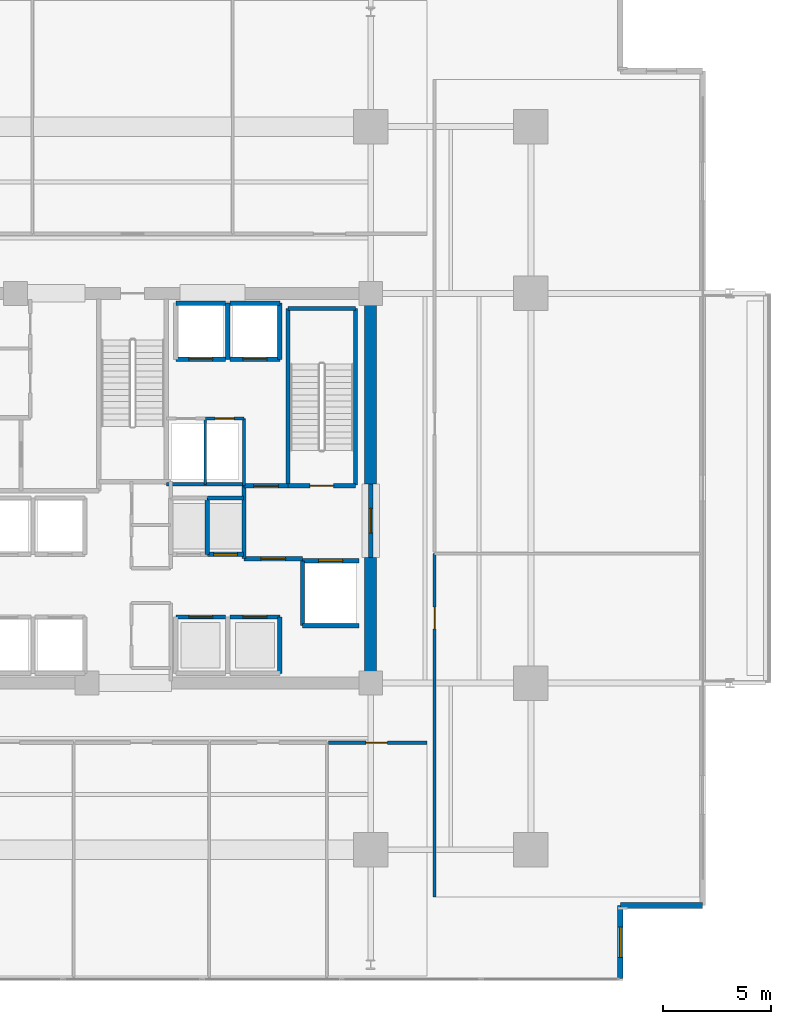
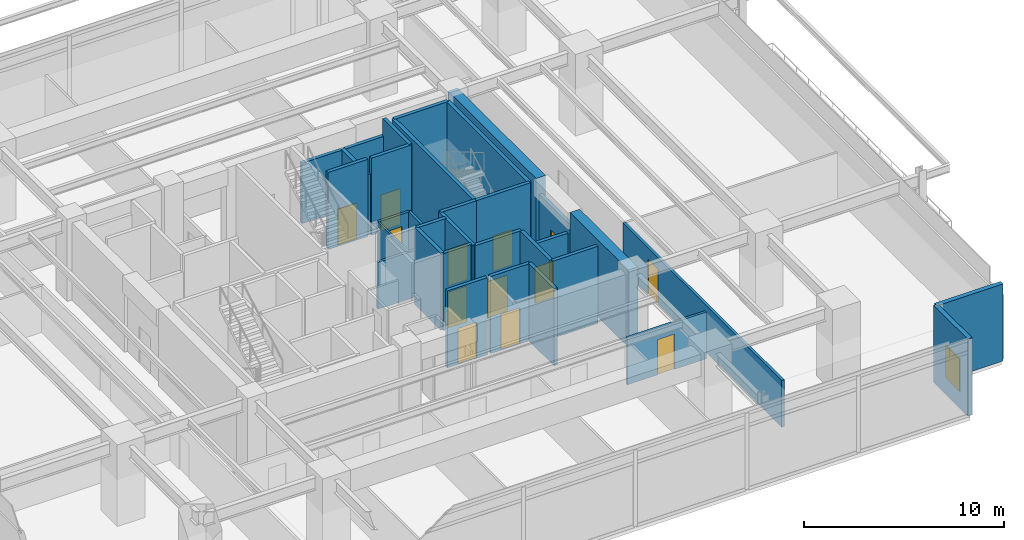
# One storey, part 18 of 24: 33 walls, 13 doors, 1 window, 14 openings.
"""IFC4 building model written with IfcOpenShell, lengths in metres."""

import ifcopenshell
import ifcopenshell.guid

model = None  # the IFC model being written
_history = None  # IfcOwnerHistory: only IFC2X3 demands one
_inside = {}  # id of a spatial element -> (the spatial element, [elements in it])
_under = {}  # id of a project, library or spatial element -> (it, [spatial elements below it])
_declared = {}  # id of a project -> (the project, [libraries it declares])
_typed = {}  # id of a type object -> (the type object, [elements of that type])
_made_of = {}  # id of a material, layer set ... -> (it, [elements and type objects made of it])


def new_model(schema):
    """Start an empty IFC model of exactly this schema.

    Asked for "IFC4X3", IfcOpenShell would pick the latest addendum, in which some entities
    have other attributes; the version numbers below select the first issue.
    IFC2X3 requires an IfcOwnerHistory on every rooted entity: one is made here for all.
    """
    global model, _history
    if schema == "IFC4X3":
        model = ifcopenshell.file(schema_version=(4, 3, 0, 0))
    else:
        model = ifcopenshell.file(schema=schema)
    _inside.clear()
    _under.clear()
    _declared.clear()
    _typed.clear()
    _made_of.clear()
    _history = None
    if model.schema == "IFC2X3":
        org = make("IfcOrganization", Name="unknown")
        user = make(
            "IfcPersonAndOrganization",
            ThePerson=make("IfcPerson", FamilyName="unknown"),
            TheOrganization=org,
        )
        app = make(
            "IfcApplication",
            ApplicationDeveloper=org,
            Version="unknown",
            ApplicationFullName="unknown",
            ApplicationIdentifier="unknown",
        )
        _history = make(
            "IfcOwnerHistory",
            OwningUser=user,
            OwningApplication=app,
            ChangeAction="ADDED",
            CreationDate=0,
        )
    return model


def make(cls, **values):
    """One entity of the class cls with the attributes given. An attribute that is None is left unset."""
    return model.create_entity(
        cls, **{name: value for name, value in values.items() if value is not None}
    )


def rooted(cls, **values):
    """An entity with a GlobalId (a new one), such as an element, a storey or a relation."""
    return make(cls, GlobalId=ifcopenshell.guid.new(), OwnerHistory=_history, **values)


def si_unit(unit_type, name, prefix=None):
    """IfcSIUnit, for example si_unit("LENGTHUNIT", "METRE", prefix="MILLI")."""
    return make("IfcSIUnit", UnitType=unit_type, Prefix=prefix, Name=name)


def assignment(units):
    """IfcUnitAssignment: the units of a project."""
    return None if units is None else make("IfcUnitAssignment", Units=units)


def point(xyz):
    """IfcCartesianPoint."""
    return None if xyz is None else make("IfcCartesianPoint", Coordinates=xyz)


def direction(xyz):
    """IfcDirection."""
    return None if xyz is None else make("IfcDirection", DirectionRatios=xyz)


def frame(location, z_axis=None, x_axis=None):
    """IfcAxis2Placement3D, a coordinate frame: its origin and axes. An axis left out is left unset."""
    return make(
        "IfcAxis2Placement3D",
        Location=point(location),
        Axis=direction(z_axis),
        RefDirection=direction(x_axis),
    )


def frame_2d(location, x_axis=None):
    """IfcAxis2Placement2D, a coordinate frame in the plane: its origin and x axis."""
    return make(
        "IfcAxis2Placement2D", Location=point(location), RefDirection=direction(x_axis)
    )


def origin():
    """The frame at (0, 0, 0) with its axes left unset."""
    return frame((0.0, 0.0, 0.0))


def place(relative_to, where):
    """IfcLocalPlacement: puts the frame where relative to a parent placement (None: the world)."""
    return make(
        "IfcLocalPlacement", PlacementRelTo=relative_to, RelativePlacement=where
    )


def context(
    kind, dimensions, precision=None, world=None, true_north=None, identifier=None
):
    """IfcGeometricRepresentationContext, for example the 3D "Model" context."""
    return make(
        "IfcGeometricRepresentationContext",
        ContextIdentifier=identifier,
        ContextType=kind,
        CoordinateSpaceDimension=dimensions,
        Precision=precision,
        WorldCoordinateSystem=world,
        TrueNorth=true_north,
    )


def subcontext(parent, identifier, kind, view, scale=None):
    """IfcGeometricRepresentationSubContext, for example "Body" below "Model"."""
    return make(
        "IfcGeometricRepresentationSubContext",
        ContextIdentifier=identifier,
        ContextType=kind,
        ParentContext=parent,
        TargetScale=scale,
        TargetView=view,
    )


def project(units=None, contexts=None):
    """IfcProject with its units and contexts."""
    return rooted(
        "IfcProject",
        Name="project",
        RepresentationContexts=contexts,
        UnitsInContext=assignment(units),
    )


def spatial(cls, under=None, at=None, **own):
    """A site, building, storey or space (cls), placed at a placement, below another one or the project."""
    s = rooted(cls, ObjectPlacement=at, **own)
    if under is not None:
        _under.setdefault(under.id(), (under, []))[1].append(s)
    return s


def profile(cls, at=None, kind="AREA", **sizes):
    """A parametric profile (cls). Its sizes go by their IFC names, for example OverallWidth=200.0."""
    return make(cls, ProfileType=kind, Position=at, **sizes)


def rectangle(**sizes):
    """IfcRectangleProfileDef."""
    return profile("IfcRectangleProfileDef", **sizes)


def extrude(swept, where, along, depth):
    """IfcExtrudedAreaSolid: the profile swept, set in the frame where, extruded along a direction by depth."""
    return make(
        "IfcExtrudedAreaSolid",
        SweptArea=swept,
        Position=where,
        ExtrudedDirection=direction(along),
        Depth=depth,
    )


def shape(context_of_items, identifier, shape_type, items):
    """IfcShapeRepresentation: the items that make up one representation, for example the "Body"."""
    return make(
        "IfcShapeRepresentation",
        ContextOfItems=context_of_items,
        RepresentationIdentifier=identifier,
        RepresentationType=shape_type,
        Items=items,
    )


def material(Name=None, Category=None):
    """IfcMaterial."""
    return make("IfcMaterial", Name=Name, Category=Category)


def layer(
    of_material, thickness, ventilated=None, Name=None, Category=None, Priority=None
):
    """IfcMaterialLayer: one layer of a wall or slab, of a material (None: an air gap)."""
    return make(
        "IfcMaterialLayer",
        Material=of_material,
        LayerThickness=thickness,
        IsVentilated=ventilated,
        Name=Name,
        Category=Category,
        Priority=Priority,
    )


def layer_set(layers, Name=None):
    """IfcMaterialLayerSet."""
    return make("IfcMaterialLayerSet", MaterialLayers=layers, LayerSetName=Name)


def made_of(thing, what):
    """Note that an element or type object is made of a material, layer set ...; save() writes the relation."""
    if what is not None:
        _made_of.setdefault(what.id(), (what, []))[1].append(thing)
    return thing


def type_object(cls, material=None, **own):
    """A type object (cls), such as IfcWallType, which elements share."""
    return made_of(rooted(cls, **own), material)


def element(
    cls,
    number,
    at=None,
    inside=None,
    cuts=None,
    type_object=None,
    material=None,
    context=None,
    identifier="Body",
    shape_type=None,
    held_by="IfcProductDefinitionShape",
    body=None,
    shapes=None,
    **own,
):
    """One element of the class cls, such as IfcWall. Its Tag is "e" and its number.

    at: its placement. inside: the storey or other place that contains it. cuts: it is an
    opening in that element (IfcRelVoidsElement). A single representation is given by context,
    identifier, shape_type and body (its items); several are given by shapes. held_by: the class
    of the entity that holds the representations. save() writes the other relations.
    """
    e = rooted(cls, Tag="e%d" % number, ObjectPlacement=at, **own)
    if body is not None:
        shapes = [shape(context, identifier, shape_type, body)]
    if shapes is not None:
        e.Representation = make(held_by, Representations=shapes)
    if inside is not None:
        _inside.setdefault(inside.id(), (inside, []))[1].append(e)
    if cuts is not None:
        rooted(
            "IfcRelVoidsElement", RelatingBuildingElement=cuts, RelatedOpeningElement=e
        )
    if type_object is not None:
        _typed.setdefault(type_object.id(), (type_object, []))[1].append(e)
    return made_of(e, material)


def fill(opening, filler):
    """IfcRelFillsElement: the door or window that sits in an opening."""
    return rooted(
        "IfcRelFillsElement",
        RelatingOpeningElement=opening,
        RelatedBuildingElement=filler,
    )


def aggregate(whole, parts):
    """IfcRelAggregates: a whole, such as a stair, and the parts it consists of."""
    return rooted("IfcRelAggregates", RelatingObject=whole, RelatedObjects=parts)


def save(model, path):
    """Write the relations noted so far, then the file.

    IfcRelAggregates (storeys below a building ...), IfcRelContainedInSpatialStructure (elements
    in a storey), IfcRelDefinesByType, IfcRelAssociatesMaterial and IfcRelDeclares: one each for
    every whole, place, type object, material and project.
    """
    for whole, parts in _under.values():
        aggregate(whole, parts)
    for where, things in _inside.values():
        rooted(
            "IfcRelContainedInSpatialStructure",
            RelatedElements=things,
            RelatingStructure=where,
        )
    for kind, things in _typed.values():
        rooted("IfcRelDefinesByType", RelatedObjects=things, RelatingType=kind)
    for what, things in _made_of.values():
        rooted("IfcRelAssociatesMaterial", RelatedObjects=things, RelatingMaterial=what)
    for by, libraries in _declared.values():
        rooted("IfcRelDeclares", RelatingContext=by, RelatedDefinitions=libraries)
    model.write(path)


model = new_model("IFC4")

# Units and contexts
model_context = context("Model", 3, precision=1e-05, world=origin(), true_north=direction((0.0, 1.0)))
body_context = subcontext(model_context, "Body", "Model", "MODEL_VIEW")
ifc_project = project(units=[si_unit("LENGTHUNIT", "METRE"), si_unit("AREAUNIT", "SQUARE_METRE"), si_unit("VOLUMEUNIT", "CUBIC_METRE"), si_unit("PLANEANGLEUNIT", "RADIAN"), si_unit("MASSUNIT", "GRAM", prefix="KILO")], contexts=[model_context])

# Site, building, storey
site_placement = place(None, origin())
site = spatial("IfcSite", under=ifc_project, at=site_placement, CompositionType="ELEMENT")
building_placement = place(site_placement, origin())
building = spatial("IfcBuilding", under=site, at=building_placement, Name="Kovane Verandah Tower", CompositionType="ELEMENT")
storey_placement = place(building_placement, frame((0.0, 0.0, 118.39990234375)))
storey = spatial("IfcBuildingStorey", under=building, at=storey_placement, Name="L27", CompositionType="ELEMENT", Elevation=118.39990234375)

# Walls
ifc_material_1 = material(Name="Fire-Rated Gypsum Stud Partition", Category="gypsum")
ifc_layer_1 = layer(ifc_material_1, 0.14990234375)
ifc_layer_set_1 = layer_set([ifc_layer_1], Name="Fire-Rated Gypsum Stud Partition")
wall_type_1 = type_object("IfcWallType", Name="WL-COR-150", PredefinedType="PARTITIONING", material=ifc_layer_set_1)
wall_1_placement = place(storey_placement, frame((41.56005859375, 27.679931640625, 0.0), z_axis=(0.0, 0.0, 1.0), x_axis=(1.0, 0.0, 0.0)))
element("IfcWall", 1, at=wall_1_placement, inside=storey, type_object=wall_type_1, Name="L27 East Core Service Riser South Wall", PredefinedType="PARTITIONING", context=body_context, shape_type="SweptSolid", body=[
    extrude(rectangle(XDim=3.58984375, YDim=0.14990234375, at=frame_2d((1.794921875, 0.0))), origin(), (0.0, 0.0, 1.0), 2.85009765625),
])
wall_2_placement = place(storey_placement, frame((45.14990234375, 27.6201171875, 0.0), z_axis=(0.0, 0.0, 1.0), x_axis=(0.0, 1.0, 0.0)))
element("IfcWall", 2, at=wall_2_placement, inside=storey, type_object=wall_type_1, Name="L27 East Core Service Riser East Wall", PredefinedType="PARTITIONING", context=body_context, shape_type="SweptSolid", body=[
    extrude(rectangle(XDim=3.099853515625, YDim=0.14990234375, at=frame_2d((1.5498046875, 0.0))), origin(), (0.0, 0.0, 1.0), 2.85009765625),
])

# Wall, opening, door
wall_3_placement = place(storey_placement, frame((43.360107421875, 30.719970703125, 0.0), z_axis=(0.0, 0.0, 1.0), x_axis=(1.0, 0.0, 0.0)))
wall_3 = element("IfcWall", 3, at=wall_3_placement, inside=storey, type_object=wall_type_1, Name="L27 Smoke Extract Duct Room Partition", PredefinedType="PARTITIONING", context=body_context, shape_type="SweptSolid", body=[
    extrude(rectangle(XDim=1.789794921875, YDim=0.14990234375, at=frame_2d((0.89501953125, 0.0))), origin(), (0.0, 0.0, 1.0), 2.85009765625),
])
opening_1_placement = place(wall_3_placement, frame((0.455078125, 0.0, 0.0)))
opening_1 = element("IfcOpeningElement", 4, at=opening_1_placement, cuts=wall_3, Name="Opening DR-L27-015", PredefinedType="OPENING", context=body_context, shape_type="SweptSolid", body=[
    extrude(rectangle(XDim=0.8798828125, YDim=2.10009765625, at=frame_2d((0.43994140625, 1.050048828125))), frame((0.0, 0.074951171875, 0.0), z_axis=(0.0, -1.0, 0.0), x_axis=(1.0, 0.0, 0.0)), (0.0, 0.0, 1.0), 0.14990234375),
])
ifc_material_2 = material(Name="Fire-Rated Steel Riser Access Door", Category="steel")
door_type_1 = type_object("IfcDoorType", Name="DR-RISER-880", OperationType="SINGLE_SWING_LEFT", PredefinedType="DOOR", material=ifc_material_2)
door_1_placement = place(opening_1_placement, origin())
door_1 = element("IfcDoor", 5, at=door_1_placement, inside=storey, type_object=door_type_1, Name="L27 Smoke Extract Duct Room Door", OperationType="SINGLE_SWING_RIGHT", OverallHeight=2.10009765625, OverallWidth=0.8798828125, PredefinedType="DOOR", context=body_context, shape_type="SweptSolid", body=[
    extrude(rectangle(XDim=0.8798828125, YDim=2.10009765625, at=frame_2d((0.43994140625, 1.050048828125))), frame((0.0, 0.02490234375, 0.0), z_axis=(0.0, -1.0, 0.0), x_axis=(1.0, 0.0, 0.0)), (0.0, 0.0, 1.0), 0.050048828125),
])
fill(opening_1, door_1)

wall_4_placement = place(storey_placement, frame((49.0458984375, 15.75, 0.0), z_axis=(0.0, 0.0, 1.0), x_axis=(1.0, 0.0, 0.0)))
wall_4 = element("IfcWall", 6, at=wall_4_placement, inside=storey, type_object=wall_type_1, Name="L27 Document and Print Room S5 Corridor Partition", PredefinedType="PARTITIONING", context=body_context, shape_type="SweptSolid", body=[
    extrude(rectangle(XDim=4.55419921875, YDim=0.14990234375, at=frame_2d((2.277099609375, 0.0))), origin(), (0.0, 0.0, 1.0), 2.85009765625),
])
opening_2_placement = place(wall_4_placement, frame((1.72705078125, 0.0, 0.0)))
opening_2 = element("IfcOpeningElement", 7, at=opening_2_placement, cuts=wall_4, Name="Opening DR-L27-023", PredefinedType="OPENING", context=body_context, shape_type="SweptSolid", body=[
    extrude(rectangle(XDim=1.0, YDim=2.14990234375, at=frame_2d((0.5, 1.074951171875))), frame((0.0, 0.074951171875, 0.0), z_axis=(0.0, -1.0, 0.0), x_axis=(1.0, 0.0, 0.0)), (0.0, 0.0, 1.0), 0.14990234375),
])
ifc_material_3 = material(Name="FSC Spotted-Gum Timber Fire-Rated Office Door", Category="wood")
door_type_2 = type_object("IfcDoorType", Name="DR-OFF-1000", OperationType="SINGLE_SWING_LEFT", PredefinedType="DOOR", material=ifc_material_3)
door_2_placement = place(opening_2_placement, origin())
door_2 = element("IfcDoor", 8, at=door_2_placement, inside=storey, type_object=door_type_2, Name="L27 Document and Print Room S5 Entrance Door", OperationType="SINGLE_SWING_RIGHT", OverallHeight=2.14990234375, OverallWidth=1.0, PredefinedType="DOOR", context=body_context, shape_type="SweptSolid", body=[
    extrude(rectangle(XDim=1.0, YDim=2.14990234375, at=frame_2d((0.5, 1.074951171875))), frame((0.0, 0.02490234375, 0.0), z_axis=(0.0, -1.0, 0.0), x_axis=(1.0, 0.0, 0.0)), (0.0, 0.0, 1.0), 0.050048828125),
])
fill(opening_2, door_2)

wall_5_placement = place(storey_placement, frame((53.949951171875, 8.629150390625, 0.0), z_axis=(0.0, 0.0, 1.0), x_axis=(0.0, 1.0, 0.0)))
wall_5 = element("IfcWall", 9, at=wall_5_placement, inside=storey, type_object=wall_type_1, Name="L27 Meeting Room E1 Corridor Partition", PredefinedType="PARTITIONING", context=body_context, shape_type="SweptSolid", body=[
    extrude(rectangle(XDim=15.8515625, YDim=0.14990234375, at=frame_2d((7.92578125, 0.0))), origin(), (0.0, 0.0, 1.0), 2.85009765625),
])
opening_3_placement = place(wall_5_placement, frame((12.376220703125, 0.0, 0.0)))
opening_3 = element("IfcOpeningElement", 10, at=opening_3_placement, cuts=wall_5, Name="Opening DR-L27-012", PredefinedType="OPENING", context=body_context, shape_type="SweptSolid", body=[
    extrude(rectangle(XDim=1.0, YDim=2.14990234375, at=frame_2d((0.5, 1.074951171875))), frame((0.0, 0.074951171875, 0.0), z_axis=(0.0, -1.0, 0.0), x_axis=(1.0, 0.0, 0.0)), (0.0, 0.0, 1.0), 0.14990234375),
])
door_3_placement = place(opening_3_placement, origin())
door_3 = element("IfcDoor", 11, at=door_3_placement, inside=storey, type_object=door_type_2, Name="L27 Meeting Room E1 Entrance Door", OperationType="SINGLE_SWING_RIGHT", OverallHeight=2.14990234375, OverallWidth=1.0, PredefinedType="DOOR", context=body_context, shape_type="SweptSolid", body=[
    extrude(rectangle(XDim=1.0, YDim=2.14990234375, at=frame_2d((0.5, 1.074951171875))), frame((0.0, 0.02490234375, 0.0), z_axis=(0.0, -1.0, 0.0), x_axis=(1.0, 0.0, 0.0)), (0.0, 0.0, 1.0), 0.050048828125),
])
fill(opening_3, door_3)

# Walls
ifc_material_4 = material(Name="Concrete C60/75", Category="concrete")
ifc_layer_2 = layer(ifc_material_4, 0.550048828125)
ifc_layer_set_2 = layer_set([ifc_layer_2], Name="Concrete C60/75")
wall_type_2 = type_object("IfcWallType", Name="WL-CORE-550", PredefinedType="SHEAR", material=ifc_layer_set_2)
wall_6_placement = place(storey_placement, frame((51.0, 18.5, 0.0), z_axis=(0.0, 0.0, 1.0), x_axis=(0.0, 1.0, 0.0)))
element("IfcWall", 12, at=wall_6_placement, inside=storey, type_object=wall_type_2, Name="L27 Core Shear Wall CE-1", PredefinedType="SHEAR", context=body_context, shape_type="SweptSolid", body=[
    extrude(rectangle(XDim=5.800048828125, YDim=0.550048828125, at=frame_2d((2.89990234375, 0.0))), origin(), (0.0, 0.0, 1.0), 4.7001953125),
])
wall_7_placement = place(storey_placement, frame((51.0, 27.699951171875, 0.0), z_axis=(0.0, 0.0, 1.0), x_axis=(0.0, 1.0, 0.0)))
element("IfcWall", 13, at=wall_7_placement, inside=storey, type_object=wall_type_2, Name="L27 Core Shear Wall CE-2", PredefinedType="SHEAR", context=body_context, shape_type="SweptSolid", body=[
    extrude(rectangle(XDim=8.800048828125, YDim=0.550048828125, at=frame_2d((4.39990234375, 0.0))), origin(), (0.0, 0.0, 1.0), 4.7001953125),
])
ifc_material_5 = material(Name="Concrete C45/55 Fire Wall", Category="concrete")
ifc_layer_3 = layer(ifc_material_5, 0.199951171875)
ifc_layer_set_3 = layer_set([ifc_layer_3], Name="Concrete C45/55 Fire Wall")
wall_type_3 = type_object("IfcWallType", Name="WL-FFL-200", PredefinedType="PARTITIONING", material=ifc_layer_set_3)
wall_8_placement = place(storey_placement, frame((45.14990234375, 24.25, 0.0), z_axis=(0.0, 0.0, 1.0), x_axis=(0.0, 1.0, 0.0)))
element("IfcWall", 14, at=wall_8_placement, inside=storey, type_object=wall_type_3, Name="L27 East Firefighting Lobby West Fire Wall", PredefinedType="PARTITIONING", context=body_context, shape_type="SweptSolid", body=[
    extrude(rectangle(XDim=3.3701171875, YDim=0.199951171875, at=frame_2d((1.68505859375, 0.0))), origin(), (0.0, 0.0, 1.0), 4.7001953125),
])

# Wall, opening, door
wall_9_placement = place(storey_placement, frame((45.14990234375, 24.25, 0.0), z_axis=(0.0, 0.0, 1.0), x_axis=(1.0, 0.0, 0.0)))
wall_9 = element("IfcWall", 15, at=wall_9_placement, inside=storey, type_object=wall_type_3, Name="W-L27-FFLE-S", PredefinedType="PARTITIONING", context=body_context, shape_type="SweptSolid", body=[
    extrude(rectangle(XDim=2.7001953125, YDim=0.199951171875, at=frame_2d((1.35009765625, 0.0))), origin(), (0.0, 0.0, 1.0), 4.7001953125),
])
opening_4_placement = place(wall_9_placement, frame((0.77490234375, 0.0, 0.0)))
opening_4 = element("IfcOpeningElement", 16, at=opening_4_placement, cuts=wall_9, Name="Opening DR-L27-003", PredefinedType="OPENING", context=body_context, shape_type="SweptSolid", body=[
    extrude(rectangle(XDim=1.14990234375, YDim=2.199951171875, at=frame_2d((0.574951171875, 1.10009765625))), frame((0.0, 0.10009765625, 0.0), z_axis=(0.0, -1.0, 0.0), x_axis=(1.0, 0.0, 0.0)), (0.0, 0.0, 1.0), 0.199951171875),
])
ifc_material_6 = material(Name="Smoke-Sealed Firefighting Lobby Door", Category="steel")
door_type_3 = type_object("IfcDoorType", Name="DR-FFL-1150", OperationType="SINGLE_SWING_LEFT", PredefinedType="DOOR", material=ifc_material_6)
door_4_placement = place(opening_4_placement, origin())
door_4 = element("IfcDoor", 17, at=door_4_placement, inside=storey, type_object=door_type_3, Name="L27 East Firefighting Lobby Inner Door", OperationType="SINGLE_SWING_RIGHT", OverallHeight=2.199951171875, OverallWidth=1.14990234375, PredefinedType="DOOR", context=body_context, shape_type="SweptSolid", body=[
    extrude(rectangle(XDim=1.14990234375, YDim=2.199951171875, at=frame_2d((0.574951171875, 1.10009765625))), frame((0.0, 0.02490234375, 0.0), z_axis=(0.0, -1.0, 0.0), x_axis=(1.0, 0.0, 0.0)), (0.0, 0.0, 1.0), 0.050048828125),
])
fill(opening_4, door_4)

wall_10_placement = place(storey_placement, frame((45.14990234375, 27.6201171875, 0.0), z_axis=(0.0, 0.0, 1.0), x_axis=(1.0, 0.0, 0.0)))
wall_10 = element("IfcWall", 18, at=wall_10_placement, inside=storey, type_object=wall_type_3, Name="W-L27-FFLE-N", PredefinedType="PARTITIONING", context=body_context, shape_type="SweptSolid", body=[
    extrude(rectangle(XDim=2.030029296875, YDim=0.199951171875, at=frame_2d((1.01513671875, 0.0))), origin(), (0.0, 0.0, 1.0), 4.7001953125),
])
opening_5_placement = place(wall_10_placement, frame((0.43994140625, 0.0, 0.0)))
opening_5 = element("IfcOpeningElement", 19, at=opening_5_placement, cuts=wall_10, Name="Opening DR-L27-004", PredefinedType="OPENING", context=body_context, shape_type="SweptSolid", body=[
    extrude(rectangle(XDim=1.14990234375, YDim=2.199951171875, at=frame_2d((0.574951171875, 1.10009765625))), frame((0.0, 0.10009765625, 0.0), z_axis=(0.0, -1.0, 0.0), x_axis=(1.0, 0.0, 0.0)), (0.0, 0.0, 1.0), 0.199951171875),
])
door_5_placement = place(opening_5_placement, origin())
door_5 = element("IfcDoor", 20, at=door_5_placement, inside=storey, type_object=door_type_3, Name="L27 East Firefighting Lobby Shuttle Link Door", OperationType="SINGLE_SWING_LEFT", OverallHeight=2.199951171875, OverallWidth=1.14990234375, PredefinedType="DOOR", context=body_context, shape_type="SweptSolid", body=[
    extrude(rectangle(XDim=1.14990234375, YDim=2.199951171875, at=frame_2d((0.574951171875, 1.10009765625))), frame((0.0, 0.02490234375, 0.0), z_axis=(0.0, -1.0, 0.0), x_axis=(1.0, 0.0, 0.0)), (0.0, 0.0, 1.0), 0.050048828125),
])
fill(opening_5, door_5)

wall_11_placement = place(storey_placement, frame((51.0, 24.300048828125, 0.0), z_axis=(0.0, 0.0, 1.0), x_axis=(0.0, 1.0, 0.0)))
wall_11 = element("IfcWall", 21, at=wall_11_placement, inside=storey, type_object=wall_type_3, Name="W-L27-FFLE-OUT", PredefinedType="PARTITIONING", context=body_context, shape_type="SweptSolid", body=[
    extrude(rectangle(XDim=3.39990234375, YDim=0.199951171875, at=frame_2d((1.699951171875, 0.0))), origin(), (0.0, 0.0, 1.0), 3.68017578125),
])
opening_6_placement = place(wall_11_placement, frame((1.125, 0.0, 0.0)))
opening_6 = element("IfcOpeningElement", 22, at=opening_6_placement, cuts=wall_11, Name="Opening DR-L27-005", PredefinedType="OPENING", context=body_context, shape_type="SweptSolid", body=[
    extrude(rectangle(XDim=1.14990234375, YDim=2.199951171875, at=frame_2d((0.574951171875, 1.10009765625))), frame((0.0, 0.10009765625, 0.0), z_axis=(0.0, -1.0, 0.0), x_axis=(1.0, 0.0, 0.0)), (0.0, 0.0, 1.0), 0.199951171875),
])
door_6_placement = place(opening_6_placement, origin())
door_6 = element("IfcDoor", 23, at=door_6_placement, inside=storey, type_object=door_type_3, Name="L27 East Firefighting Lobby Corridor Door", OperationType="SINGLE_SWING_LEFT", OverallHeight=2.199951171875, OverallWidth=1.14990234375, PredefinedType="DOOR", context=body_context, shape_type="SweptSolid", body=[
    extrude(rectangle(XDim=1.14990234375, YDim=2.199951171875, at=frame_2d((0.574951171875, 1.10009765625))), frame((0.0, 0.02490234375, 0.0), z_axis=(0.0, -1.0, 0.0), x_axis=(1.0, 0.0, 0.0)), (0.0, 0.0, 1.0), 0.050048828125),
])
fill(opening_6, door_6)

# Wall
ifc_material_7 = material(Name="Concrete C45/55 Lift Shaft Wall", Category="concrete")
ifc_layer_4 = layer(ifc_material_7, 0.199951171875)
ifc_layer_set_4 = layer_set([ifc_layer_4], Name="Concrete C45/55 Lift Shaft Wall")
wall_type_4 = type_object("IfcWallType", Name="WL-LIFT-200", PredefinedType="SOLIDWALL", material=ifc_layer_set_4)
wall_12_placement = place(storey_placement, frame((47.85009765625, 21.14990234375, 0.0), z_axis=(0.0, 0.0, 1.0), x_axis=(1.0, 0.0, 0.0)))
element("IfcWall", 24, at=wall_12_placement, inside=storey, type_object=wall_type_4, Name="L27 Lift FL-02 S Shaft Wall", PredefinedType="SOLIDWALL", context=body_context, shape_type="SweptSolid", body=[
    extrude(rectangle(XDim=2.599853515625, YDim=0.199951171875, at=frame_2d((1.2998046875, 0.0))), origin(), (0.0, 0.0, 1.0), 4.7001953125),
])

# Wall, opening, door
wall_13_placement = place(storey_placement, frame((50.449951171875, 24.14990234375, 0.0), z_axis=(0.0, 0.0, 1.0), x_axis=(-1.0, 0.0, 0.0)))
wall_13 = element("IfcWall", 25, at=wall_13_placement, inside=storey, type_object=wall_type_4, Name="L27 Lift FL-02 N Shaft Wall", PredefinedType="SOLIDWALL", context=body_context, shape_type="SweptSolid", body=[
    extrude(rectangle(XDim=2.599853515625, YDim=0.199951171875, at=frame_2d((1.2998046875, 0.0))), origin(), (0.0, 0.0, 1.0), 3.68017578125),
])
opening_7_placement = place(wall_13_placement, frame((0.75, 0.0, 0.0)))
opening_7 = element("IfcOpeningElement", 26, at=opening_7_placement, cuts=wall_13, Name="Opening LD-L27-002", PredefinedType="OPENING", context=body_context, shape_type="SweptSolid", body=[
    extrude(rectangle(XDim=1.10009765625, YDim=2.199951171875, at=frame_2d((0.550048828125, 1.10009765625))), frame((0.0, 0.10009765625, 0.0), z_axis=(0.0, -1.0, 0.0), x_axis=(1.0, 0.0, 0.0)), (0.0, 0.0, 1.0), 0.199951171875),
])
ifc_material_8 = material(Name="Brushed Stainless Steel Sliding Lift Landing Door", Category="steel")
door_type_4 = type_object("IfcDoorType", Name="DR-LIFT-1100", OperationType="SLIDING_TO_RIGHT", PredefinedType="DOOR", material=ifc_material_8)
door_7_placement = place(opening_7_placement, origin())
door_7 = element("IfcDoor", 27, at=door_7_placement, inside=storey, type_object=door_type_4, Name="L27 Lift FL-02 Sliding Landing Door", OperationType="SLIDING_TO_RIGHT", OverallHeight=2.199951171875, OverallWidth=1.10009765625, PredefinedType="DOOR", context=body_context, shape_type="SweptSolid", body=[
    extrude(rectangle(XDim=1.10009765625, YDim=2.199951171875, at=frame_2d((0.550048828125, 1.10009765625))), frame((0.0, 0.02490234375, 0.0), z_axis=(0.0, -1.0, 0.0), x_axis=(1.0, 0.0, 0.0)), (0.0, 0.0, 1.0), 0.050048828125),
])
fill(opening_7, door_7)

# Wall
wall_14_placement = place(storey_placement, frame((47.85009765625, 24.14990234375, 0.0), z_axis=(0.0, 0.0, 1.0), x_axis=(0.0, -1.0, 0.0)))
element("IfcWall", 28, at=wall_14_placement, inside=storey, type_object=wall_type_4, Name="L27 Lift FL-02 W Shaft Wall", PredefinedType="SOLIDWALL", context=body_context, shape_type="SweptSolid", body=[
    extrude(rectangle(XDim=3.0, YDim=0.199951171875, at=frame_2d((1.5, 0.0))), origin(), (0.0, 0.0, 1.0), 4.7001953125),
])

# Wall, opening, door
wall_15_placement = place(storey_placement, frame((44.300048828125, 21.550048828125, 0.0), z_axis=(0.0, 0.0, 1.0), x_axis=(-1.0, 0.0, 0.0)))
wall_15 = element("IfcWall", 29, at=wall_15_placement, inside=storey, type_object=wall_type_4, Name="L27 Lift PL-M1 N Shaft Wall", PredefinedType="SOLIDWALL", context=body_context, shape_type="SweptSolid", body=[
    extrude(rectangle(XDim=2.300048828125, YDim=0.199951171875, at=frame_2d((1.14990234375, 0.0))), origin(), (0.0, 0.0, 1.0), 4.7001953125),
])
opening_8_placement = place(wall_15_placement, frame((0.60009765625, 0.0, 0.0)))
opening_8 = element("IfcOpeningElement", 30, at=opening_8_placement, cuts=wall_15, Name="Opening LD-L27-009", PredefinedType="OPENING", context=body_context, shape_type="SweptSolid", body=[
    extrude(rectangle(XDim=1.10009765625, YDim=2.199951171875, at=frame_2d((0.550048828125, 1.10009765625))), frame((0.0, 0.10009765625, 0.0), z_axis=(0.0, -1.0, 0.0), x_axis=(1.0, 0.0, 0.0)), (0.0, 0.0, 1.0), 0.199951171875),
])
door_8_placement = place(opening_8_placement, origin())
door_8 = element("IfcDoor", 31, at=door_8_placement, inside=storey, type_object=door_type_4, Name="L27 Lift PL-M1 Sliding Landing Door", OperationType="SLIDING_TO_RIGHT", OverallHeight=2.199951171875, OverallWidth=1.10009765625, PredefinedType="DOOR", context=body_context, shape_type="SweptSolid", body=[
    extrude(rectangle(XDim=1.10009765625, YDim=2.199951171875, at=frame_2d((0.550048828125, 1.10009765625))), frame((0.0, 0.02490234375, 0.0), z_axis=(0.0, -1.0, 0.0), x_axis=(1.0, 0.0, 0.0)), (0.0, 0.0, 1.0), 0.050048828125),
])
fill(opening_8, door_8)

wall_16_placement = place(storey_placement, frame((46.800048828125, 21.550048828125, 0.0), z_axis=(0.0, 0.0, 1.0), x_axis=(-1.0, 0.0, 0.0)))
wall_16 = element("IfcWall", 32, at=wall_16_placement, inside=storey, type_object=wall_type_4, Name="L27 Lift PL-M2 N Shaft Wall", PredefinedType="SOLIDWALL", context=body_context, shape_type="SweptSolid", body=[
    extrude(rectangle(XDim=2.300048828125, YDim=0.199951171875, at=frame_2d((1.14990234375, 0.0))), origin(), (0.0, 0.0, 1.0), 4.7001953125),
])
opening_9_placement = place(wall_16_placement, frame((0.60009765625, 0.0, 0.0)))
opening_9 = element("IfcOpeningElement", 33, at=opening_9_placement, cuts=wall_16, Name="Opening LD-L27-010", PredefinedType="OPENING", context=body_context, shape_type="SweptSolid", body=[
    extrude(rectangle(XDim=1.10009765625, YDim=2.199951171875, at=frame_2d((0.550048828125, 1.10009765625))), frame((0.0, 0.10009765625, 0.0), z_axis=(0.0, -1.0, 0.0), x_axis=(1.0, 0.0, 0.0)), (0.0, 0.0, 1.0), 0.199951171875),
])
door_9_placement = place(opening_9_placement, origin())
door_9 = element("IfcDoor", 34, at=door_9_placement, inside=storey, type_object=door_type_4, Name="L27 Lift PL-M2 Sliding Landing Door", OperationType="SLIDING_TO_RIGHT", OverallHeight=2.199951171875, OverallWidth=1.10009765625, PredefinedType="DOOR", context=body_context, shape_type="SweptSolid", body=[
    extrude(rectangle(XDim=1.10009765625, YDim=2.199951171875, at=frame_2d((0.550048828125, 1.10009765625))), frame((0.0, 0.02490234375, 0.0), z_axis=(0.0, -1.0, 0.0), x_axis=(1.0, 0.0, 0.0)), (0.0, 0.0, 1.0), 0.050048828125),
])
fill(opening_9, door_9)

# Walls
for number, where, z_axis, x_axis, name in (
    (35, (46.800048828125, 18.949951171875, 0.0), (0.0, 0.0, 1.0), (0.0, 1.0, 0.0), "L27 Lift PL-M2 E Shaft Wall"),
    (36, (43.449951171875, 24.449951171875, 0.0), (0.0, 0.0, 1.0), (0.0, 1.0, 0.0), "L27 Lift PL-M3 and PL-M4 Shared Shaft Wall"),
):
    element("IfcWall", number, at=place(storey_placement, frame(where, z_axis=z_axis, x_axis=x_axis)), inside=storey, type_object=wall_type_4, Name=name, PredefinedType="SOLIDWALL", context=body_context, shape_type="SweptSolid", body=[
        extrude(rectangle(XDim=2.60009765625, YDim=0.199951171875, at=frame_2d((1.300048828125, 0.0))), origin(), (0.0, 0.0, 1.0), 4.7001953125),
    ])

# Wall, opening, door
wall_17_placement = place(storey_placement, frame((43.4599609375, 24.449951171875, 0.0), z_axis=(0.0, 0.0, 1.0), x_axis=(1.0, 0.0, 0.0)))
wall_17 = element("IfcWall", 37, at=wall_17_placement, inside=storey, type_object=wall_type_4, Name="L27 Lift PL-M4 S Shaft Wall", PredefinedType="SOLIDWALL", context=body_context, shape_type="SweptSolid", body=[
    extrude(rectangle(XDim=1.66015625, YDim=0.199951171875, at=frame_2d((0.830078125, 0.0))), origin(), (0.0, 0.0, 1.0), 4.7001953125),
])
opening_10_placement = place(wall_17_placement, frame((0.280029296875, 0.0, 0.0)))
opening_10 = element("IfcOpeningElement", 38, at=opening_10_placement, cuts=wall_17, Name="Opening LD-L27-012", PredefinedType="OPENING", context=body_context, shape_type="SweptSolid", body=[
    extrude(rectangle(XDim=1.10009765625, YDim=2.199951171875, at=frame_2d((0.550048828125, 1.10009765625))), frame((0.0, 0.10009765625, 0.0), z_axis=(0.0, -1.0, 0.0), x_axis=(1.0, 0.0, 0.0)), (0.0, 0.0, 1.0), 0.199951171875),
])
door_10_placement = place(opening_10_placement, origin())
door_10 = element("IfcDoor", 39, at=door_10_placement, inside=storey, type_object=door_type_4, Name="L27 Lift PL-M4 Sliding Landing Door", OperationType="SLIDING_TO_RIGHT", OverallHeight=2.199951171875, OverallWidth=1.10009765625, PredefinedType="DOOR", context=body_context, shape_type="SweptSolid", body=[
    extrude(rectangle(XDim=1.10009765625, YDim=2.199951171875, at=frame_2d((0.550048828125, 1.10009765625))), frame((0.0, 0.02490234375, 0.0), z_axis=(0.0, -1.0, 0.0), x_axis=(1.0, 0.0, 0.0)), (0.0, 0.0, 1.0), 0.050048828125),
])
fill(opening_10, door_10)

# Wall
wall_18_placement = place(storey_placement, frame((45.1201171875, 27.050048828125, 0.0), z_axis=(0.0, 0.0, 1.0), x_axis=(-1.0, 0.0, 0.0)))
element("IfcWall", 40, at=wall_18_placement, inside=storey, type_object=wall_type_4, Name="L27 Lift PL-M4 N Shaft Wall", PredefinedType="SOLIDWALL", context=body_context, shape_type="SweptSolid", body=[
    extrude(rectangle(XDim=1.66015625, YDim=0.199951171875, at=frame_2d((0.830078125, 0.0))), origin(), (0.0, 0.0, 1.0), 4.7001953125),
])

# Wall, opening, door
wall_19_placement = place(storey_placement, frame((42.0, 33.449951171875, 0.0), z_axis=(0.0, 0.0, 1.0), x_axis=(1.0, 0.0, 0.0)))
wall_19 = element("IfcWall", 41, at=wall_19_placement, inside=storey, type_object=wall_type_4, Name="L27 Lift SL-01 S Shaft Wall", PredefinedType="SOLIDWALL", context=body_context, shape_type="SweptSolid", body=[
    extrude(rectangle(XDim=2.300048828125, YDim=0.199951171875, at=frame_2d((1.14990234375, 0.0))), origin(), (0.0, 0.0, 1.0), 4.7001953125),
])
opening_11_placement = place(wall_19_placement, frame((0.60009765625, 0.0, 0.0)))
opening_11 = element("IfcOpeningElement", 42, at=opening_11_placement, cuts=wall_19, Name="Opening LD-L27-013", PredefinedType="OPENING", context=body_context, shape_type="SweptSolid", body=[
    extrude(rectangle(XDim=1.10009765625, YDim=2.199951171875, at=frame_2d((0.550048828125, 1.10009765625))), frame((0.0, 0.10009765625, 0.0), z_axis=(0.0, -1.0, 0.0), x_axis=(1.0, 0.0, 0.0)), (0.0, 0.0, 1.0), 0.199951171875),
])
door_11_placement = place(opening_11_placement, origin())
door_11 = element("IfcDoor", 43, at=door_11_placement, inside=storey, type_object=door_type_4, Name="L27 Lift SL-01 Sliding Landing Door", OperationType="SLIDING_TO_RIGHT", OverallHeight=2.199951171875, OverallWidth=1.10009765625, PredefinedType="DOOR", context=body_context, shape_type="SweptSolid", body=[
    extrude(rectangle(XDim=1.10009765625, YDim=2.199951171875, at=frame_2d((0.550048828125, 1.10009765625))), frame((0.0, 0.02490234375, 0.0), z_axis=(0.0, -1.0, 0.0), x_axis=(1.0, 0.0, 0.0)), (0.0, 0.0, 1.0), 0.050048828125),
])
fill(opening_11, door_11)

# Walls
wall_20_placement = place(storey_placement, frame((44.300048828125, 36.050048828125, 0.0), z_axis=(0.0, 0.0, 1.0), x_axis=(-1.0, 0.0, 0.0)))
element("IfcWall", 44, at=wall_20_placement, inside=storey, type_object=wall_type_4, Name="L27 Lift SL-01 N Shaft Wall", PredefinedType="SOLIDWALL", context=body_context, shape_type="SweptSolid", body=[
    extrude(rectangle(XDim=2.300048828125, YDim=0.199951171875, at=frame_2d((1.14990234375, 0.0))), origin(), (0.0, 0.0, 1.0), 3.68017578125),
])
wall_21_placement = place(storey_placement, frame((44.39990234375, 33.449951171875, 0.0), z_axis=(0.0, 0.0, 1.0), x_axis=(0.0, 1.0, 0.0)))
element("IfcWall", 45, at=wall_21_placement, inside=storey, type_object=wall_type_4, Name="L27 Lift OL-01 and SL-01 Shared Shaft Wall", PredefinedType="SOLIDWALL", context=body_context, shape_type="SweptSolid", body=[
    extrude(rectangle(XDim=2.60009765625, YDim=0.199951171875, at=frame_2d((1.300048828125, 0.0))), origin(), (0.0, 0.0, 1.0), 3.68017578125),
])

# Wall, opening, door
wall_22_placement = place(storey_placement, frame((44.5, 33.449951171875, 0.0), z_axis=(0.0, 0.0, 1.0), x_axis=(1.0, 0.0, 0.0)))
wall_22 = element("IfcWall", 46, at=wall_22_placement, inside=storey, type_object=wall_type_4, Name="L27 Lift OL-01 S Shaft Wall", PredefinedType="SOLIDWALL", context=body_context, shape_type="SweptSolid", body=[
    extrude(rectangle(XDim=2.300048828125, YDim=0.199951171875, at=frame_2d((1.14990234375, 0.0))), origin(), (0.0, 0.0, 1.0), 4.7001953125),
])
opening_12_placement = place(wall_22_placement, frame((0.60009765625, 0.0, 0.0)))
opening_12 = element("IfcOpeningElement", 47, at=opening_12_placement, cuts=wall_22, Name="Opening LD-L27-004", PredefinedType="OPENING", context=body_context, shape_type="SweptSolid", body=[
    extrude(rectangle(XDim=1.10009765625, YDim=2.199951171875, at=frame_2d((0.550048828125, 1.10009765625))), frame((0.0, 0.10009765625, 0.0), z_axis=(0.0, -1.0, 0.0), x_axis=(1.0, 0.0, 0.0)), (0.0, 0.0, 1.0), 0.199951171875),
])
door_12_placement = place(opening_12_placement, origin())
door_12 = element("IfcDoor", 48, at=door_12_placement, inside=storey, type_object=door_type_4, Name="L27 Lift OL-01 Sliding Landing Door", OperationType="SLIDING_TO_RIGHT", OverallHeight=2.199951171875, OverallWidth=1.10009765625, PredefinedType="DOOR", context=body_context, shape_type="SweptSolid", body=[
    extrude(rectangle(XDim=1.10009765625, YDim=2.199951171875, at=frame_2d((0.550048828125, 1.10009765625))), frame((0.0, 0.02490234375, 0.0), z_axis=(0.0, -1.0, 0.0), x_axis=(1.0, 0.0, 0.0)), (0.0, 0.0, 1.0), 0.050048828125),
])
fill(opening_12, door_12)

# Walls
wall_23_placement = place(storey_placement, frame((46.800048828125, 36.050048828125, 0.0), z_axis=(0.0, 0.0, 1.0), x_axis=(-1.0, 0.0, 0.0)))
element("IfcWall", 49, at=wall_23_placement, inside=storey, type_object=wall_type_4, Name="L27 Lift OL-01 N Shaft Wall", PredefinedType="SOLIDWALL", context=body_context, shape_type="SweptSolid", body=[
    extrude(rectangle(XDim=2.300048828125, YDim=0.199951171875, at=frame_2d((1.14990234375, 0.0))), origin(), (0.0, 0.0, 1.0), 3.68017578125),
])
wall_24_placement = place(storey_placement, frame((46.800048828125, 33.449951171875, 0.0), z_axis=(0.0, 0.0, 1.0), x_axis=(0.0, 1.0, 0.0)))
element("IfcWall", 50, at=wall_24_placement, inside=storey, type_object=wall_type_4, Name="L27 Lift OL-01 E Shaft Wall", PredefinedType="SOLIDWALL", context=body_context, shape_type="SweptSolid", body=[
    extrude(rectangle(XDim=2.60009765625, YDim=0.199951171875, at=frame_2d((1.300048828125, 0.0))), origin(), (0.0, 0.0, 1.0), 4.7001953125),
])
ifc_material_9 = material(Name="Acoustic Fire-Rated Gypsum Partition", Category="gypsum")
ifc_layer_5 = layer(ifc_material_9, 0.1201171875)
ifc_layer_set_5 = layer_set([ifc_layer_5], Name="Acoustic Fire-Rated Gypsum Partition")
wall_type_5 = type_object("IfcWallType", Name="WL-PART-120", PredefinedType="PARTITIONING", material=ifc_layer_set_5)
wall_25_placement = place(storey_placement, frame((43.360107421875, 27.679931640625, 0.0), z_axis=(0.0, 0.0, 1.0), x_axis=(0.0, 1.0, 0.0)))
element("IfcWall", 51, at=wall_25_placement, inside=storey, type_object=wall_type_5, Name="L27 Service Riser Dividing Partition", PredefinedType="PARTITIONING", context=body_context, shape_type="SweptSolid", body=[
    extrude(rectangle(XDim=3.0400390625, YDim=0.1201171875, at=frame_2d((1.52001953125, 0.0))), origin(), (0.0, 0.0, 1.0), 2.85009765625),
])
ifc_material_10 = material(Name="Concrete C45/55", Category="concrete")
ifc_layer_6 = layer(ifc_material_10, 0.199951171875)
ifc_layer_set_6 = layer_set([ifc_layer_6], Name="Concrete C45/55")
wall_type_6 = type_object("IfcWallType", Name="WL-SHAFT-200", PredefinedType="SOLIDWALL", material=ifc_layer_set_6)
wall_26_placement = place(storey_placement, frame((50.300048828125, 27.64990234375, 0.0), z_axis=(0.0, 0.0, 1.0), x_axis=(0.0, 1.0, 0.0)))
element("IfcWall", 52, at=wall_26_placement, inside=storey, type_object=wall_type_6, Name="W-L27-ST02-E", PredefinedType="SOLIDWALL", context=body_context, shape_type="SweptSolid", body=[
    extrude(rectangle(XDim=8.150146484375, YDim=0.199951171875, at=frame_2d((4.0751953125, 0.0))), origin(), (0.0, 0.0, 1.0), 4.7001953125),
])
wall_27_placement = place(storey_placement, frame((47.179931640625, 35.800048828125, 0.0), z_axis=(0.0, 0.0, 1.0), x_axis=(1.0, 0.0, 0.0)))
element("IfcWall", 53, at=wall_27_placement, inside=storey, type_object=wall_type_6, Name="W-L27-ST02-N", PredefinedType="SOLIDWALL", context=body_context, shape_type="SweptSolid", body=[
    extrude(rectangle(XDim=3.1201171875, YDim=0.199951171875, at=frame_2d((1.56005859375, 0.0))), origin(), (0.0, 0.0, 1.0), 4.7001953125),
])
wall_28_placement = place(storey_placement, frame((47.179931640625, 27.6201171875, 0.0), z_axis=(0.0, 0.0, 1.0), x_axis=(0.0, 1.0, 0.0)))
element("IfcWall", 54, at=wall_28_placement, inside=storey, type_object=wall_type_6, Name="W-L27-ST02-W", PredefinedType="SOLIDWALL", context=body_context, shape_type="SweptSolid", body=[
    extrude(rectangle(XDim=8.179931640625, YDim=0.199951171875, at=frame_2d((4.08984375, 0.0))), origin(), (0.0, 0.0, 1.0), 4.7001953125),
])

# Wall, opening, door
wall_29_placement = place(storey_placement, frame((47.179931640625, 27.6201171875, 0.0), z_axis=(0.0, 0.0, 1.0), x_axis=(1.0, 0.0, 0.0)))
wall_29 = element("IfcWall", 55, at=wall_29_placement, inside=storey, type_object=wall_type_6, Name="W-L27-ST02-S", PredefinedType="SOLIDWALL", context=body_context, shape_type="SweptSolid", body=[
    extrude(rectangle(XDim=3.1201171875, YDim=0.199951171875, at=frame_2d((1.56005859375, 0.0))), origin(), (0.0, 0.0, 1.0), 4.7001953125),
])
opening_13_placement = place(wall_29_placement, frame((1.010009765625, 0.0, 0.0)))
opening_13 = element("IfcOpeningElement", 56, at=opening_13_placement, cuts=wall_29, Name="Opening DR-L27-010", PredefinedType="OPENING", context=body_context, shape_type="SweptSolid", body=[
    extrude(rectangle(XDim=1.10009765625, YDim=2.14990234375, at=frame_2d((0.550048828125, 1.074951171875))), frame((0.0, 0.10009765625, 0.0), z_axis=(0.0, -1.0, 0.0), x_axis=(1.0, 0.0, 0.0)), (0.0, 0.0, 1.0), 0.199951171875),
])
ifc_material_11 = material(Name="Fire-Rated Steel Exit Door", Category="steel")
door_type_5 = type_object("IfcDoorType", Name="DR-STAIR-1100", OperationType="SINGLE_SWING_LEFT", PredefinedType="DOOR", material=ifc_material_11)
door_13_placement = place(opening_13_placement, origin())
door_13 = element("IfcDoor", 57, at=door_13_placement, inside=storey, type_object=door_type_5, Name="L27 ST-02 Fire Exit Stair Door", OperationType="SINGLE_SWING_RIGHT", OverallHeight=2.14990234375, OverallWidth=1.10009765625, PredefinedType="DOOR", context=body_context, shape_type="SweptSolid", body=[
    extrude(rectangle(XDim=1.10009765625, YDim=2.14990234375, at=frame_2d((0.550048828125, 1.074951171875))), frame((0.0, 0.02490234375, 0.0), z_axis=(0.0, -1.0, 0.0), x_axis=(1.0, 0.0, 0.0)), (0.0, 0.0, 1.0), 0.050048828125),
])
fill(opening_13, door_13)

# Wall, opening, window
ifc_material_12 = material(Name="Concrete C45/55 Insulated Spandrel Wall", Category="concrete")
ifc_layer_7 = layer(ifc_material_12, 0.260009765625)
ifc_layer_set_7 = layer_set([ifc_layer_7], Name="Concrete C45/55 Insulated Spandrel Wall")
wall_type_7 = type_object("IfcWallType", Name="WL-SPANDREL-260", PredefinedType="PARAPET", material=ifc_layer_set_7)
wall_30_placement = place(storey_placement, frame((62.52978515625, 4.8291015625, 0.0), z_axis=(0.0, 0.0, 1.0), x_axis=(0.0, 1.0, 0.0)))
wall_30 = element("IfcWall", 58, at=wall_30_placement, inside=storey, type_object=wall_type_7, Name="L27 SE Notch Cheek Wall 1", PredefinedType="PARAPET", context=body_context, shape_type="SweptSolid", body=[
    extrude(rectangle(XDim=3.39990234375, YDim=0.260009765625, at=frame_2d((1.699951171875, 0.0))), origin(), (0.0, 0.0, 1.0), 4.7001953125),
])
opening_14_placement = place(wall_30_placement, frame((1.0, 0.0, 0.85009765625)))
opening_14 = element("IfcOpeningElement", 59, at=opening_14_placement, cuts=wall_30, Name="Opening W-01", PredefinedType="OPENING", context=body_context, shape_type="SweptSolid", body=[
    extrude(rectangle(XDim=1.39990234375, YDim=2.0, at=frame_2d((0.699951171875, 1.0))), frame((0.0, 0.1298828125, 0.0), z_axis=(0.0, -1.0, 0.0), x_axis=(1.0, 0.0, 0.0)), (0.0, 0.0, 1.0), 0.260009765625),
])
ifc_material_13 = material(Name="Clear Low-E Laminated Double Glazing in Anodised Frame", Category="glass")
window_type = type_object("IfcWindowType", Name="WN-OPER-1400x2000", PartitioningType="SINGLE_PANEL", PredefinedType="WINDOW", material=ifc_material_13)
window_placement = place(opening_14_placement, origin())
window = element("IfcWindow", 60, at=window_placement, inside=storey, type_object=window_type, Name="L27 SE Re-Entrant Corner Operable Window", OverallHeight=2.0, OverallWidth=1.39990234375, PartitioningType="SINGLE_PANEL", PredefinedType="WINDOW", context=body_context, shape_type="SweptSolid", body=[
    extrude(rectangle(XDim=1.39990234375, YDim=2.0, at=frame_2d((0.699951171875, 1.0))), frame((0.0, 0.030029296875, 0.0), z_axis=(0.0, -1.0, 0.0), x_axis=(1.0, 0.0, 0.0)), (0.0, 0.0, 1.0), 0.06005859375),
])
fill(opening_14, window)

# Wall
wall_31_placement = place(storey_placement, frame((62.52978515625, 8.22900390625, 0.0), z_axis=(0.0, 0.0, 1.0), x_axis=(1.0, 0.0, 0.0)))
element("IfcWall", 61, at=wall_31_placement, inside=storey, type_object=wall_type_7, Name="L27 SE Notch Cheek Wall 2", PredefinedType="PARAPET", context=body_context, shape_type="SweptSolid", body=[
    extrude(rectangle(XDim=3.800048828125, YDim=0.260009765625, at=frame_2d((1.89990234375, 0.0))), origin(), (0.0, 0.0, 1.0), 4.7001953125),
])

save(model, "model.ifc")
